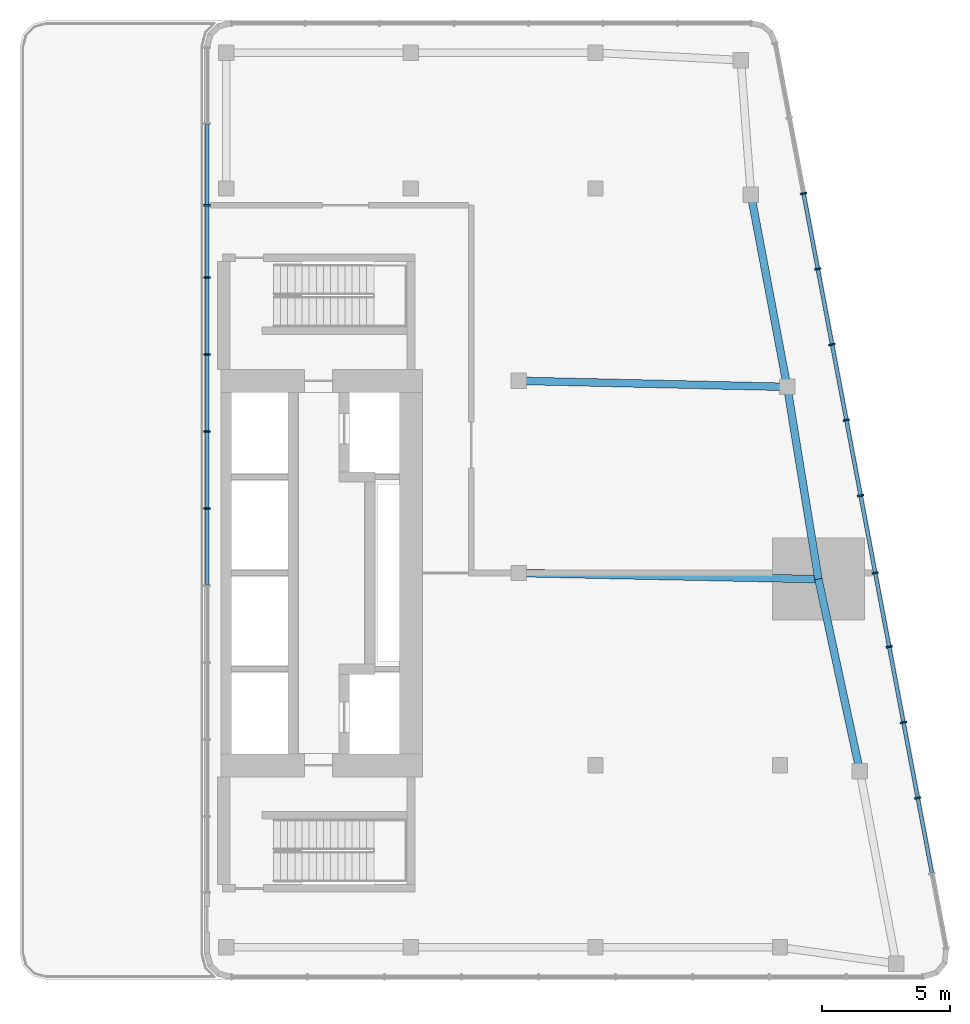
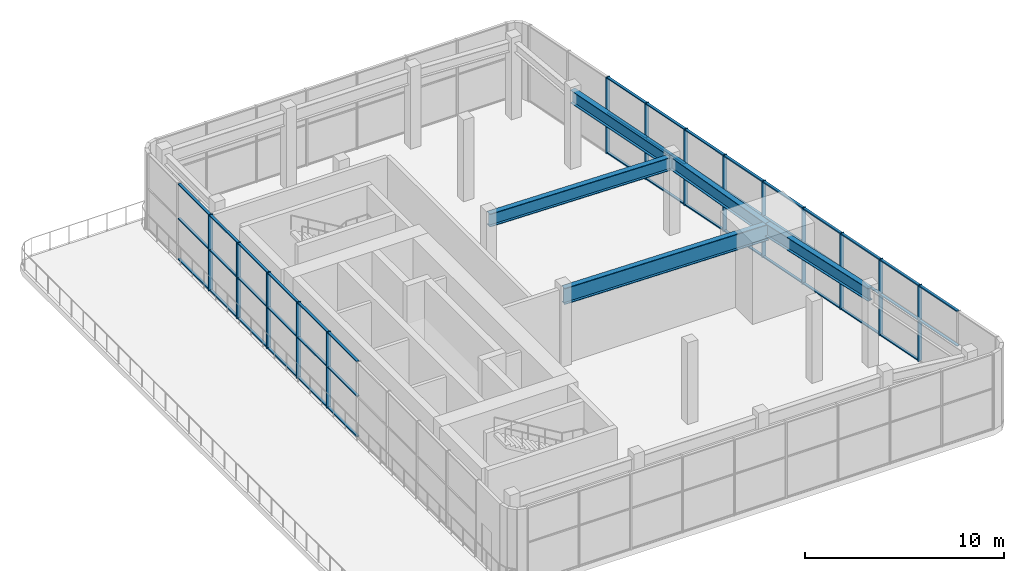
# One storey, part 2 of 8: 58 members, 5 beams, 2 elements without a shape of their own.
"""IFC4 building model written with IfcOpenShell, lengths in metres."""

from ifc_helpers import new_model, si_unit, direction, frame, origin, origin_2d, place, context, subcontext, project, spatial, rectangle, i_section, extrude, material, material_profile, profile_set, type_object, element, aggregate, save


model = new_model("IFC4")

# Units and contexts
model_context = context("Model", 3, precision=1e-05, world=origin(), true_north=direction((0.0, 1.0)))
body_context = subcontext(model_context, "Body", "Model", "MODEL_VIEW")
ifc_project = project(units=[si_unit("LENGTHUNIT", "METRE"), si_unit("AREAUNIT", "SQUARE_METRE"), si_unit("VOLUMEUNIT", "CUBIC_METRE"), si_unit("PLANEANGLEUNIT", "RADIAN"), si_unit("MASSUNIT", "GRAM", prefix="KILO")], contexts=[model_context])

# Site, building, storey
site_placement = place(None, origin())
site = spatial("IfcSite", under=ifc_project, at=site_placement, CompositionType="ELEMENT")
building_placement = place(site_placement, origin())
building = spatial("IfcBuilding", under=site, at=building_placement, Name="Sheger Commons Tower", CompositionType="ELEMENT")
storey_placement = place(building_placement, frame((0.0, 0.0, 296.60009765625)))
storey = spatial("IfcBuildingStorey", under=building, at=storey_placement, Name="L76", CompositionType="ELEMENT", Elevation=296.60009765625)

# Curtain wall, members
ifc_material_1 = material(Name="Black aluminium curtain wall, dark tinted glazing", Category="aluminium")
curtain_wall_type = type_object("IfcCurtainWallType", Name="CURTAIN WALL CW6 LANTERN", PredefinedType="USERDEFINED", material=ifc_material_1)
curtain_wall_1_placement = place(storey_placement, origin())
curtain_wall_1 = element("IfcCurtainWall", 1, at=curtain_wall_1_placement, inside=storey, type_object=curtain_wall_type, Name="Curtain Wall Cw6 Lantern E1 L76", ObjectType="UNITISED CURTAIN WALL", PredefinedType="USERDEFINED")
ifc_material_2 = material(Name="Black anodised aluminium", Category="aluminium")
ifc_material_profile_1 = material_profile(ifc_material_2, rectangle(XDim=0.25, YDim=0.06494140625, at=origin_2d()), Name="AL 65x250")
ifc_profile_set_1 = profile_set([ifc_material_profile_1], Name="Black anodised aluminium")
member_type_1 = type_object("IfcMemberType", Name="MULLION AL 65x250", PredefinedType="MULLION", material=ifc_profile_set_1)
member_1_placement = place(storey_placement, frame((48.5703125, 13.727783203125, 0.0), z_axis=(0.0, 0.0, 1.0), x_axis=(-0.982622863229, -0.185613331041, 0.0)))
member_1 = element("IfcMember", 2, at=member_1_placement, type_object=member_type_1, Name="CW6 mullion 3", PredefinedType="MULLION", context=body_context, shape_type="SweptSolid", body=[
    extrude(rectangle(XDim=0.25, YDim=0.06494140625, at=origin_2d()), origin(), (0.0, 0.0, 1.0), 4.64990234375),
])
member_2_placement = place(storey_placement, frame((48.013427734375, 16.675537109375, 0.0), z_axis=(0.0, 0.0, 1.0), x_axis=(-0.982622863229, -0.185613331041, 0.0)))
member_2 = element("IfcMember", 3, at=member_2_placement, type_object=member_type_1, Name="CW6 mullion 4", PredefinedType="MULLION", context=body_context, shape_type="SweptSolid", body=[
    extrude(rectangle(XDim=0.25, YDim=0.06494140625, at=origin_2d()), origin(), (0.0, 0.0, 1.0), 4.64990234375),
])
member_3_placement = place(storey_placement, frame((47.45654296875, 19.62353515625, 0.0), z_axis=(0.0, 0.0, 1.0), x_axis=(-0.982622863229, -0.185613331041, 0.0)))
member_3 = element("IfcMember", 4, at=member_3_placement, type_object=member_type_1, Name="CW6 mullion 5", PredefinedType="MULLION", context=body_context, shape_type="SweptSolid", body=[
    extrude(rectangle(XDim=0.25, YDim=0.06494140625, at=origin_2d()), origin(), (0.0, 0.0, 1.0), 4.64990234375),
])
member_4_placement = place(storey_placement, frame((46.913330078125, 22.49951171875, 0.0), z_axis=(0.0, 0.0, 1.0), x_axis=(-0.982622863229, -0.185613331041, 0.0)))
member_4 = element("IfcMember", 5, at=member_4_placement, type_object=member_type_1, Name="CW6 mullion 6", PredefinedType="MULLION", context=body_context, shape_type="SweptSolid", body=[
    extrude(rectangle(XDim=0.25, YDim=0.06494140625, at=origin_2d()), origin(), (0.0, 0.0, 1.0), 4.64990234375),
])
member_5_placement = place(storey_placement, frame((46.343017578125, 25.519287109375, 0.0), z_axis=(0.0, 0.0, 1.0), x_axis=(-0.982622863229, -0.185613331041, 0.0)))
member_5 = element("IfcMember", 6, at=member_5_placement, type_object=member_type_1, Name="CW6 mullion 7", PredefinedType="MULLION", context=body_context, shape_type="SweptSolid", body=[
    extrude(rectangle(XDim=0.25, YDim=0.06494140625, at=origin_2d()), origin(), (0.0, 0.0, 1.0), 4.64990234375),
])
member_6_placement = place(storey_placement, frame((45.7861328125, 28.467041015625, 0.0), z_axis=(0.0, 0.0, 1.0), x_axis=(-0.982622863229, -0.185613331041, 0.0)))
member_6 = element("IfcMember", 7, at=member_6_placement, type_object=member_type_1, Name="CW6 mullion 8", PredefinedType="MULLION", context=body_context, shape_type="SweptSolid", body=[
    extrude(rectangle(XDim=0.25, YDim=0.06494140625, at=origin_2d()), origin(), (0.0, 0.0, 1.0), 4.64990234375),
])
member_7_placement = place(storey_placement, frame((45.229248046875, 31.4150390625, 0.0), z_axis=(0.0, 0.0, 1.0), x_axis=(-0.982622863229, -0.185613331041, 0.0)))
member_7 = element("IfcMember", 8, at=member_7_placement, type_object=member_type_1, Name="CW6 mullion 9", PredefinedType="MULLION", context=body_context, shape_type="SweptSolid", body=[
    extrude(rectangle(XDim=0.25, YDim=0.06494140625, at=origin_2d()), origin(), (0.0, 0.0, 1.0), 4.64990234375),
])
member_8_placement = place(storey_placement, frame((44.67236328125, 34.36279296875, 0.0), z_axis=(0.0, 0.0, 1.0), x_axis=(-0.982622863229, -0.185613331041, 0.0)))
member_8 = element("IfcMember", 9, at=member_8_placement, type_object=member_type_1, Name="CW6 mullion 10", PredefinedType="MULLION", context=body_context, shape_type="SweptSolid", body=[
    extrude(rectangle(XDim=0.25, YDim=0.06494140625, at=origin_2d()), origin(), (0.0, 0.0, 1.0), 4.64990234375),
])
member_9_placement = place(storey_placement, frame((44.115478515625, 37.310791015625, 0.0), z_axis=(0.0, 0.0, 1.0), x_axis=(-0.982622863229, -0.185613331041, 0.0)))
member_9 = element("IfcMember", 10, at=member_9_placement, type_object=member_type_1, Name="CW6 mullion 11", PredefinedType="MULLION", context=body_context, shape_type="SweptSolid", body=[
    extrude(rectangle(XDim=0.25, YDim=0.06494140625, at=origin_2d()), origin(), (0.0, 0.0, 1.0), 4.64990234375),
])

curtain_wall_2_placement = place(storey_placement, origin())
curtain_wall_2 = element("IfcCurtainWall", 11, at=curtain_wall_2_placement, inside=storey, type_object=curtain_wall_type, Name="Curtain Wall Cw6 Lantern W1 L76", ObjectType="UNITISED CURTAIN WALL", PredefinedType="USERDEFINED")
member_10_placement = place(storey_placement, frame((20.85009765625, 36.85009765625, 0.0), z_axis=(0.0, 0.0, 1.0), x_axis=(1.0, 0.0, 0.0)))
member_10 = element("IfcMember", 12, at=member_10_placement, type_object=member_type_1, Name="CW6 mullion 3", PredefinedType="MULLION", context=body_context, shape_type="SweptSolid", body=[
    extrude(rectangle(XDim=0.25, YDim=0.06494140625, at=origin_2d()), origin(), (0.0, 0.0, 1.0), 4.64990234375),
])
member_11_placement = place(storey_placement, frame((20.85009765625, 34.027099609375, 0.0), z_axis=(0.0, 0.0, 1.0), x_axis=(1.0, 0.0, 0.0)))
member_11 = element("IfcMember", 13, at=member_11_placement, type_object=member_type_1, Name="CW6 mullion 4", PredefinedType="MULLION", context=body_context, shape_type="SweptSolid", body=[
    extrude(rectangle(XDim=0.25, YDim=0.06494140625, at=origin_2d()), origin(), (0.0, 0.0, 1.0), 4.64990234375),
])
member_12_placement = place(storey_placement, frame((20.85009765625, 31.02392578125, 0.0), z_axis=(0.0, 0.0, 1.0), x_axis=(1.0, 0.0, 0.0)))
member_12 = element("IfcMember", 14, at=member_12_placement, type_object=member_type_1, Name="CW6 mullion 5", PredefinedType="MULLION", context=body_context, shape_type="SweptSolid", body=[
    extrude(rectangle(XDim=0.25, YDim=0.06494140625, at=origin_2d()), origin(), (0.0, 0.0, 1.0), 4.64990234375),
])
member_13_placement = place(storey_placement, frame((20.85009765625, 28.02001953125, 0.0), z_axis=(0.0, 0.0, 1.0), x_axis=(1.0, 0.0, 0.0)))
member_13 = element("IfcMember", 15, at=member_13_placement, type_object=member_type_1, Name="CW6 mullion 6", PredefinedType="MULLION", context=body_context, shape_type="SweptSolid", body=[
    extrude(rectangle(XDim=0.25, YDim=0.06494140625, at=origin_2d()), origin(), (0.0, 0.0, 1.0), 4.64990234375),
])
member_14_placement = place(storey_placement, frame((20.85009765625, 25.01708984375, 0.0), z_axis=(0.0, 0.0, 1.0), x_axis=(1.0, 0.0, 0.0)))
member_14 = element("IfcMember", 16, at=member_14_placement, type_object=member_type_1, Name="CW6 mullion 7", PredefinedType="MULLION", context=body_context, shape_type="SweptSolid", body=[
    extrude(rectangle(XDim=0.25, YDim=0.06494140625, at=origin_2d()), origin(), (0.0, 0.0, 1.0), 4.64990234375),
])

# Beams
ifc_material_3 = material(Name="Steel S460", Category="steel")
ifc_material_profile_2 = material_profile(ifc_material_3, i_section(OverallWidth=0.300048828125, OverallDepth=1.0, WebThickness=0.01904296875, FlangeThickness=0.035888671875, at=origin_2d()), Name="HE 1000 B")
ifc_profile_set_2 = profile_set([ifc_material_profile_2], Name="Steel S460")
beam_type_1 = type_object("IfcBeamType", Name="STEEL BEAM HE 1000 B", PredefinedType="BEAM", material=ifc_profile_set_2)
beam_1_placement = place(storey_placement, frame((33.0, 22.5, 4.14990234375), z_axis=(0.999794692776, -0.02026258368, 0.0), x_axis=(0.02026258368, 0.999794692776, 0.0)))
element("IfcBeam", 17, at=beam_1_placement, inside=storey, type_object=beam_type_1, Name="Beam 6-3000/D-7/D under L77", PredefinedType="BEAM", context=body_context, shape_type="SweptSolid", body=[
    extrude(i_section(OverallWidth=0.300048828125, OverallDepth=1.0, WebThickness=0.01904296875, FlangeThickness=0.035888671875, at=origin_2d()), origin(), (0.0, 0.0, 1.0), 11.699462890625),
])
ifc_material_4 = material(Name="Steel S460", Category="steel")
ifc_material_profile_3 = material_profile(ifc_material_4, i_section(OverallWidth=0.300048828125, OverallDepth=0.800048828125, WebThickness=0.017578125, FlangeThickness=0.032958984375, at=origin_2d()), Name="HE 800 B")
ifc_profile_set_3 = profile_set([ifc_material_profile_3], Name="Steel S460")
beam_type_2 = type_object("IfcBeamType", Name="STEEL BEAM HE 800 B", PredefinedType="BEAM", material=ifc_profile_set_3)
beam_2_placement = place(storey_placement, frame((46.31396484375, 14.762939453125, 4.25), z_axis=(-0.210750229323, 0.977539943348, 0.0), x_axis=(-0.977539943348, -0.210750229323, 0.0)))
element("IfcBeam", 18, at=beam_2_placement, inside=storey, type_object=beam_type_2, Name="Beam E/C-E/D under L77", PredefinedType="BEAM", context=body_context, shape_type="SweptSolid", body=[
    extrude(i_section(OverallWidth=0.300048828125, OverallDepth=0.800048828125, WebThickness=0.017578125, FlangeThickness=0.032958984375, at=origin_2d()), origin(), (0.0, 0.0, 1.0), 7.67236328125),
])
beam_3_placement = place(storey_placement, frame((44.697021484375, 22.262939453125, 4.25), z_axis=(-0.160176929512, 0.987088319884, 0.0), x_axis=(-0.987088319884, -0.160176929512, 0.0)))
element("IfcBeam", 19, at=beam_3_placement, inside=storey, type_object=beam_type_2, Name="Beam E/D-E/E under L77", PredefinedType="BEAM", context=body_context, shape_type="SweptSolid", body=[
    extrude(i_section(OverallWidth=0.300048828125, OverallDepth=0.800048828125, WebThickness=0.017578125, FlangeThickness=0.032958984375, at=origin_2d()), origin(), (0.0, 0.0, 1.0), 7.59814453125),
])
beam_4_placement = place(storey_placement, frame((43.47998046875, 29.762939453125, 4.25), z_axis=(-0.18552441405, 0.982639655108, 0.0), x_axis=(-0.982639655108, -0.18552441405, 0.0)))
element("IfcBeam", 20, at=beam_4_placement, inside=storey, type_object=beam_type_2, Name="Beam E/E-E/F under L77", PredefinedType="BEAM", context=body_context, shape_type="SweptSolid", body=[
    extrude(i_section(OverallWidth=0.300048828125, OverallDepth=0.800048828125, WebThickness=0.017578125, FlangeThickness=0.032958984375, at=origin_2d()), origin(), (0.0, 0.0, 1.0), 7.632568359375),
])
beam_5_placement = place(storey_placement, frame((33.0, 30.0, 4.25), z_axis=(0.999744258625, -0.022614538395, 0.0), x_axis=(0.022614538395, 0.999744258625, 0.0)))
element("IfcBeam", 21, at=beam_5_placement, inside=storey, type_object=beam_type_2, Name="Beam 6-3000/E-E/E under L77", PredefinedType="BEAM", context=body_context, shape_type="SweptSolid", body=[
    extrude(i_section(OverallWidth=0.300048828125, OverallDepth=0.800048828125, WebThickness=0.017578125, FlangeThickness=0.032958984375, at=origin_2d()), origin(), (0.0, 0.0, 1.0), 10.482666015625),
])

# Member
ifc_material_5 = material(Name="Black anodised aluminium", Category="aluminium")
ifc_material_profile_4 = material_profile(ifc_material_5, rectangle(XDim=0.14990234375, YDim=0.06494140625, at=origin_2d()), Name="AL 65x150")
ifc_profile_set_4 = profile_set([ifc_material_profile_4], Name="Black anodised aluminium")
member_type_2 = type_object("IfcMemberType", Name="TRANSOM AL 65x150", PredefinedType="USERDEFINED", material=ifc_profile_set_4)
member_15_placement = place(storey_placement, frame((49.12109375, 10.811767578125, 2.5), z_axis=(-0.18557911014, 0.982629326796, 0.0), x_axis=(-0.982629326796, -0.18557911014, 0.0)))
member_15 = element("IfcMember", 22, at=member_15_placement, type_object=member_type_2, Name="CW6 transom 2.2", ObjectType="TRANSOM", PredefinedType="USERDEFINED", context=body_context, shape_type="SweptSolid", body=[
    extrude(rectangle(XDim=0.14990234375, YDim=0.06494140625, at=origin_2d()), origin(), (0.0, 0.0, 1.0), 2.93505859375),
])

member_16_placement = place(storey_placement, frame((49.12109375, 10.811767578125, 4.617431640625), z_axis=(-0.18557911014, 0.982629326796, 0.0), x_axis=(-0.982629326796, -0.18557911014, 0.0)))
member_16 = element("IfcMember", 23, at=member_16_placement, type_object=member_type_2, Name="CW6 transom 2.3", ObjectType="TRANSOM", PredefinedType="USERDEFINED", context=body_context, shape_type="SweptSolid", body=[
    extrude(rectangle(XDim=0.14990234375, YDim=0.06494140625, at=origin_2d()), origin(), (0.0, 0.0, 1.0), 2.93505859375),
])

member_17_placement = place(storey_placement, frame((48.564208984375, 13.759765625, 0.032470703125), z_axis=(-0.185594280056, 0.982626461688, 0.0), x_axis=(-0.982626461688, -0.185594280056, 0.0)))
member_17 = element("IfcMember", 24, at=member_17_placement, type_object=member_type_2, Name="CW6 transom 3.1", ObjectType="TRANSOM", PredefinedType="USERDEFINED", context=body_context, shape_type="SweptSolid", body=[
    extrude(rectangle(XDim=0.14990234375, YDim=0.06494140625, at=origin_2d()), origin(), (0.0, 0.0, 1.0), 2.934814453125),
])

member_18_placement = place(storey_placement, frame((48.564208984375, 13.759765625, 2.5), z_axis=(-0.185594280056, 0.982626461688, 0.0), x_axis=(-0.982626461688, -0.185594280056, 0.0)))
member_18 = element("IfcMember", 25, at=member_18_placement, type_object=member_type_2, Name="CW6 transom 3.2", ObjectType="TRANSOM", PredefinedType="USERDEFINED", context=body_context, shape_type="SweptSolid", body=[
    extrude(rectangle(XDim=0.14990234375, YDim=0.06494140625, at=origin_2d()), origin(), (0.0, 0.0, 1.0), 2.934814453125),
])

member_19_placement = place(storey_placement, frame((48.564208984375, 13.759765625, 4.617431640625), z_axis=(-0.185594280056, 0.982626461688, 0.0), x_axis=(-0.982626461688, -0.185594280056, 0.0)))
member_19 = element("IfcMember", 26, at=member_19_placement, type_object=member_type_2, Name="CW6 transom 3.3", ObjectType="TRANSOM", PredefinedType="USERDEFINED", context=body_context, shape_type="SweptSolid", body=[
    extrude(rectangle(XDim=0.14990234375, YDim=0.06494140625, at=origin_2d()), origin(), (0.0, 0.0, 1.0), 2.934814453125),
])

member_20_placement = place(storey_placement, frame((48.007568359375, 16.70751953125, 0.032470703125), z_axis=(-0.185659425554, 0.982614155049, 0.0), x_axis=(-0.982614155049, -0.185659425554, 0.0)))
member_20 = element("IfcMember", 27, at=member_20_placement, type_object=member_type_2, Name="CW6 transom 4.1", ObjectType="TRANSOM", PredefinedType="USERDEFINED", context=body_context, shape_type="SweptSolid", body=[
    extrude(rectangle(XDim=0.14990234375, YDim=0.06494140625, at=origin_2d()), origin(), (0.0, 0.0, 1.0), 2.93505859375),
])

member_21_placement = place(storey_placement, frame((48.007568359375, 16.70751953125, 2.5), z_axis=(-0.185659425554, 0.982614155049, 0.0), x_axis=(-0.982614155049, -0.185659425554, 0.0)))
member_21 = element("IfcMember", 28, at=member_21_placement, type_object=member_type_2, Name="CW6 transom 4.2", ObjectType="TRANSOM", PredefinedType="USERDEFINED", context=body_context, shape_type="SweptSolid", body=[
    extrude(rectangle(XDim=0.14990234375, YDim=0.06494140625, at=origin_2d()), origin(), (0.0, 0.0, 1.0), 2.93505859375),
])

member_22_placement = place(storey_placement, frame((48.007568359375, 16.70751953125, 4.617431640625), z_axis=(-0.185659425554, 0.982614155049, 0.0), x_axis=(-0.982614155049, -0.185659425554, 0.0)))
member_22 = element("IfcMember", 29, at=member_22_placement, type_object=member_type_2, Name="CW6 transom 4.3", ObjectType="TRANSOM", PredefinedType="USERDEFINED", context=body_context, shape_type="SweptSolid", body=[
    extrude(rectangle(XDim=0.14990234375, YDim=0.06494140625, at=origin_2d()), origin(), (0.0, 0.0, 1.0), 2.93505859375),
])

member_23_placement = place(storey_placement, frame((47.45068359375, 19.655517578125, 0.032470703125), z_axis=(-0.185622332692, 0.982621162812, 0.0), x_axis=(-0.982621162812, -0.185622332692, 0.0)))
member_23 = element("IfcMember", 30, at=member_23_placement, type_object=member_type_2, Name="CW6 transom 5.1", ObjectType="TRANSOM", PredefinedType="USERDEFINED", context=body_context, shape_type="SweptSolid", body=[
    extrude(rectangle(XDim=0.14990234375, YDim=0.06494140625, at=origin_2d()), origin(), (0.0, 0.0, 1.0), 2.862060546875),
])

member_24_placement = place(storey_placement, frame((47.45068359375, 19.655517578125, 2.5), z_axis=(-0.185622332692, 0.982621162812, 0.0), x_axis=(-0.982621162812, -0.185622332692, 0.0)))
member_24 = element("IfcMember", 31, at=member_24_placement, type_object=member_type_2, Name="CW6 transom 5.2", ObjectType="TRANSOM", PredefinedType="USERDEFINED", context=body_context, shape_type="SweptSolid", body=[
    extrude(rectangle(XDim=0.14990234375, YDim=0.06494140625, at=origin_2d()), origin(), (0.0, 0.0, 1.0), 2.862060546875),
])

member_25_placement = place(storey_placement, frame((47.45068359375, 19.655517578125, 4.617431640625), z_axis=(-0.185622332692, 0.982621162812, 0.0), x_axis=(-0.982621162812, -0.185622332692, 0.0)))
member_25 = element("IfcMember", 32, at=member_25_placement, type_object=member_type_2, Name="CW6 transom 5.3", ObjectType="TRANSOM", PredefinedType="USERDEFINED", context=body_context, shape_type="SweptSolid", body=[
    extrude(rectangle(XDim=0.14990234375, YDim=0.06494140625, at=origin_2d()), origin(), (0.0, 0.0, 1.0), 2.862060546875),
])

member_26_placement = place(storey_placement, frame((46.9072265625, 22.531494140625, 0.032470703125), z_axis=(-0.185616352754, 0.982622292435, 0.0), x_axis=(-0.982622292435, -0.185616352755, 0.0)))
member_26 = element("IfcMember", 33, at=member_26_placement, type_object=member_type_2, Name="CW6 transom 6.1", ObjectType="TRANSOM", PredefinedType="USERDEFINED", context=body_context, shape_type="SweptSolid", body=[
    extrude(rectangle(XDim=0.14990234375, YDim=0.06494140625, at=origin_2d()), origin(), (0.0, 0.0, 1.0), 3.008056640625),
])

member_27_placement = place(storey_placement, frame((46.9072265625, 22.531494140625, 2.5), z_axis=(-0.185616352754, 0.982622292435, 0.0), x_axis=(-0.982622292435, -0.185616352755, 0.0)))
member_27 = element("IfcMember", 34, at=member_27_placement, type_object=member_type_2, Name="CW6 transom 6.2", ObjectType="TRANSOM", PredefinedType="USERDEFINED", context=body_context, shape_type="SweptSolid", body=[
    extrude(rectangle(XDim=0.14990234375, YDim=0.06494140625, at=origin_2d()), origin(), (0.0, 0.0, 1.0), 3.008056640625),
])

member_28_placement = place(storey_placement, frame((46.9072265625, 22.531494140625, 4.617431640625), z_axis=(-0.185616352754, 0.982622292435, 0.0), x_axis=(-0.982622292435, -0.185616352755, 0.0)))
member_28 = element("IfcMember", 35, at=member_28_placement, type_object=member_type_2, Name="CW6 transom 6.3", ObjectType="TRANSOM", PredefinedType="USERDEFINED", context=body_context, shape_type="SweptSolid", body=[
    extrude(rectangle(XDim=0.14990234375, YDim=0.06494140625, at=origin_2d()), origin(), (0.0, 0.0, 1.0), 3.008056640625),
])

member_29_placement = place(storey_placement, frame((46.3369140625, 25.551025390625, 0.032470703125), z_axis=(-0.18557911014, 0.982629326796, 0.0), x_axis=(-0.982629326796, -0.18557911014, 0.0)))
member_29 = element("IfcMember", 36, at=member_29_placement, type_object=member_type_2, Name="CW6 transom 7.1", ObjectType="TRANSOM", PredefinedType="USERDEFINED", context=body_context, shape_type="SweptSolid", body=[
    extrude(rectangle(XDim=0.14990234375, YDim=0.06494140625, at=origin_2d()), origin(), (0.0, 0.0, 1.0), 2.93505859375),
])

member_30_placement = place(storey_placement, frame((46.3369140625, 25.551025390625, 2.5), z_axis=(-0.18557911014, 0.982629326796, 0.0), x_axis=(-0.982629326796, -0.18557911014, 0.0)))
member_30 = element("IfcMember", 37, at=member_30_placement, type_object=member_type_2, Name="CW6 transom 7.2", ObjectType="TRANSOM", PredefinedType="USERDEFINED", context=body_context, shape_type="SweptSolid", body=[
    extrude(rectangle(XDim=0.14990234375, YDim=0.06494140625, at=origin_2d()), origin(), (0.0, 0.0, 1.0), 2.93505859375),
])

member_31_placement = place(storey_placement, frame((46.3369140625, 25.551025390625, 4.617431640625), z_axis=(-0.18557911014, 0.982629326796, 0.0), x_axis=(-0.982629326796, -0.18557911014, 0.0)))
member_31 = element("IfcMember", 38, at=member_31_placement, type_object=member_type_2, Name="CW6 transom 7.3", ObjectType="TRANSOM", PredefinedType="USERDEFINED", context=body_context, shape_type="SweptSolid", body=[
    extrude(rectangle(XDim=0.14990234375, YDim=0.06494140625, at=origin_2d()), origin(), (0.0, 0.0, 1.0), 2.93505859375),
])

member_32_placement = place(storey_placement, frame((45.780029296875, 28.4990234375, 0.032470703125), z_axis=(-0.18557911014, 0.982629326796, 0.0), x_axis=(-0.982629326796, -0.18557911014, 0.0)))
member_32 = element("IfcMember", 39, at=member_32_placement, type_object=member_type_2, Name="CW6 transom 8.1", ObjectType="TRANSOM", PredefinedType="USERDEFINED", context=body_context, shape_type="SweptSolid", body=[
    extrude(rectangle(XDim=0.14990234375, YDim=0.06494140625, at=origin_2d()), origin(), (0.0, 0.0, 1.0), 2.93505859375),
])

member_33_placement = place(storey_placement, frame((45.780029296875, 28.4990234375, 2.5), z_axis=(-0.18557911014, 0.982629326796, 0.0), x_axis=(-0.982629326796, -0.18557911014, 0.0)))
member_33 = element("IfcMember", 40, at=member_33_placement, type_object=member_type_2, Name="CW6 transom 8.2", ObjectType="TRANSOM", PredefinedType="USERDEFINED", context=body_context, shape_type="SweptSolid", body=[
    extrude(rectangle(XDim=0.14990234375, YDim=0.06494140625, at=origin_2d()), origin(), (0.0, 0.0, 1.0), 2.93505859375),
])

member_34_placement = place(storey_placement, frame((45.780029296875, 28.4990234375, 4.617431640625), z_axis=(-0.18557911014, 0.982629326796, 0.0), x_axis=(-0.982629326796, -0.18557911014, 0.0)))
member_34 = element("IfcMember", 41, at=member_34_placement, type_object=member_type_2, Name="CW6 transom 8.3", ObjectType="TRANSOM", PredefinedType="USERDEFINED", context=body_context, shape_type="SweptSolid", body=[
    extrude(rectangle(XDim=0.14990234375, YDim=0.06494140625, at=origin_2d()), origin(), (0.0, 0.0, 1.0), 2.93505859375),
])

member_35_placement = place(storey_placement, frame((45.22314453125, 31.44677734375, 0.032470703125), z_axis=(-0.18557911014, 0.982629326796, 0.0), x_axis=(-0.982629326796, -0.18557911014, 0.0)))
member_35 = element("IfcMember", 42, at=member_35_placement, type_object=member_type_2, Name="CW6 transom 9.1", ObjectType="TRANSOM", PredefinedType="USERDEFINED", context=body_context, shape_type="SweptSolid", body=[
    extrude(rectangle(XDim=0.14990234375, YDim=0.06494140625, at=origin_2d()), origin(), (0.0, 0.0, 1.0), 2.93505859375),
])

member_36_placement = place(storey_placement, frame((45.22314453125, 31.44677734375, 2.5), z_axis=(-0.18557911014, 0.982629326796, 0.0), x_axis=(-0.982629326796, -0.18557911014, 0.0)))
member_36 = element("IfcMember", 43, at=member_36_placement, type_object=member_type_2, Name="CW6 transom 9.2", ObjectType="TRANSOM", PredefinedType="USERDEFINED", context=body_context, shape_type="SweptSolid", body=[
    extrude(rectangle(XDim=0.14990234375, YDim=0.06494140625, at=origin_2d()), origin(), (0.0, 0.0, 1.0), 2.93505859375),
])

member_37_placement = place(storey_placement, frame((45.22314453125, 31.44677734375, 4.617431640625), z_axis=(-0.18557911014, 0.982629326796, 0.0), x_axis=(-0.982629326796, -0.18557911014, 0.0)))
member_37 = element("IfcMember", 44, at=member_37_placement, type_object=member_type_2, Name="CW6 transom 9.3", ObjectType="TRANSOM", PredefinedType="USERDEFINED", context=body_context, shape_type="SweptSolid", body=[
    extrude(rectangle(XDim=0.14990234375, YDim=0.06494140625, at=origin_2d()), origin(), (0.0, 0.0, 1.0), 2.93505859375),
])

member_38_placement = place(storey_placement, frame((44.66650390625, 34.394775390625, 0.032470703125), z_axis=(-0.185659425554, 0.982614155049, 0.0), x_axis=(-0.982614155049, -0.185659425554, 0.0)))
member_38 = element("IfcMember", 45, at=member_38_placement, type_object=member_type_2, Name="CW6 transom 10.1", ObjectType="TRANSOM", PredefinedType="USERDEFINED", context=body_context, shape_type="SweptSolid", body=[
    extrude(rectangle(XDim=0.14990234375, YDim=0.06494140625, at=origin_2d()), origin(), (0.0, 0.0, 1.0), 2.93505859375),
])

member_39_placement = place(storey_placement, frame((44.66650390625, 34.394775390625, 2.5), z_axis=(-0.185659425554, 0.982614155049, 0.0), x_axis=(-0.982614155049, -0.185659425554, 0.0)))
member_39 = element("IfcMember", 46, at=member_39_placement, type_object=member_type_2, Name="CW6 transom 10.2", ObjectType="TRANSOM", PredefinedType="USERDEFINED", context=body_context, shape_type="SweptSolid", body=[
    extrude(rectangle(XDim=0.14990234375, YDim=0.06494140625, at=origin_2d()), origin(), (0.0, 0.0, 1.0), 2.93505859375),
])

member_40_placement = place(storey_placement, frame((44.66650390625, 34.394775390625, 4.617431640625), z_axis=(-0.185659425554, 0.982614155049, 0.0), x_axis=(-0.982614155049, -0.185659425554, 0.0)))
member_40 = element("IfcMember", 47, at=member_40_placement, type_object=member_type_2, Name="CW6 transom 10.3", ObjectType="TRANSOM", PredefinedType="USERDEFINED", context=body_context, shape_type="SweptSolid", body=[
    extrude(rectangle(XDim=0.14990234375, YDim=0.06494140625, at=origin_2d()), origin(), (0.0, 0.0, 1.0), 2.93505859375),
])

aggregate(curtain_wall_1, [member_1, member_2, member_3, member_4, member_5, member_6, member_7, member_8, member_9, member_15, member_16, member_17, member_18, member_19, member_20, member_21, member_22, member_23, member_24, member_25, member_26, member_27, member_28, member_29, member_30, member_31, member_32, member_33, member_34, member_35, member_36, member_37, member_38, member_39, member_40])

member_41_placement = place(storey_placement, frame((20.85009765625, 40.00146484375, 0.032470703125), z_axis=(0.0, -1.0, 0.0), x_axis=(1.0, 0.0, 0.0)))
member_41 = element("IfcMember", 48, at=member_41_placement, type_object=member_type_2, Name="CW6 transom 2.1", ObjectType="TRANSOM", PredefinedType="USERDEFINED", context=body_context, shape_type="SweptSolid", body=[
    extrude(rectangle(XDim=0.14990234375, YDim=0.06494140625, at=origin_2d()), origin(), (0.0, 0.0, 1.0), 3.118896484375),
])

member_42_placement = place(storey_placement, frame((20.85009765625, 40.00146484375, 2.5), z_axis=(0.0, -1.0, 0.0), x_axis=(1.0, 0.0, 0.0)))
member_42 = element("IfcMember", 49, at=member_42_placement, type_object=member_type_2, Name="CW6 transom 2.2", ObjectType="TRANSOM", PredefinedType="USERDEFINED", context=body_context, shape_type="SweptSolid", body=[
    extrude(rectangle(XDim=0.14990234375, YDim=0.06494140625, at=origin_2d()), origin(), (0.0, 0.0, 1.0), 3.118896484375),
])

member_43_placement = place(storey_placement, frame((20.85009765625, 40.00146484375, 4.617431640625), z_axis=(0.0, -1.0, 0.0), x_axis=(1.0, 0.0, 0.0)))
member_43 = element("IfcMember", 50, at=member_43_placement, type_object=member_type_2, Name="CW6 transom 2.3", ObjectType="TRANSOM", PredefinedType="USERDEFINED", context=body_context, shape_type="SweptSolid", body=[
    extrude(rectangle(XDim=0.14990234375, YDim=0.06494140625, at=origin_2d()), origin(), (0.0, 0.0, 1.0), 3.118896484375),
])

member_44_placement = place(storey_placement, frame((20.85009765625, 36.8173828125, 0.032470703125), z_axis=(0.0, -1.0, 0.0), x_axis=(1.0, 0.0, 0.0)))
member_44 = element("IfcMember", 51, at=member_44_placement, type_object=member_type_2, Name="CW6 transom 3.1", ObjectType="TRANSOM", PredefinedType="USERDEFINED", context=body_context, shape_type="SweptSolid", body=[
    extrude(rectangle(XDim=0.14990234375, YDim=0.06494140625, at=origin_2d()), origin(), (0.0, 0.0, 1.0), 2.7578125),
])

member_45_placement = place(storey_placement, frame((20.85009765625, 36.8173828125, 2.5), z_axis=(0.0, -1.0, 0.0), x_axis=(1.0, 0.0, 0.0)))
member_45 = element("IfcMember", 52, at=member_45_placement, type_object=member_type_2, Name="CW6 transom 3.2", ObjectType="TRANSOM", PredefinedType="USERDEFINED", context=body_context, shape_type="SweptSolid", body=[
    extrude(rectangle(XDim=0.14990234375, YDim=0.06494140625, at=origin_2d()), origin(), (0.0, 0.0, 1.0), 2.7578125),
])

member_46_placement = place(storey_placement, frame((20.85009765625, 36.8173828125, 4.617431640625), z_axis=(0.0, -1.0, 0.0), x_axis=(1.0, 0.0, 0.0)))
member_46 = element("IfcMember", 53, at=member_46_placement, type_object=member_type_2, Name="CW6 transom 3.3", ObjectType="TRANSOM", PredefinedType="USERDEFINED", context=body_context, shape_type="SweptSolid", body=[
    extrude(rectangle(XDim=0.14990234375, YDim=0.06494140625, at=origin_2d()), origin(), (0.0, 0.0, 1.0), 2.7578125),
])

member_47_placement = place(storey_placement, frame((20.85009765625, 33.994384765625, 0.032470703125), z_axis=(0.0, -1.0, 0.0), x_axis=(1.0, 0.0, 0.0)))
member_47 = element("IfcMember", 54, at=member_47_placement, type_object=member_type_2, Name="CW6 transom 4.1", ObjectType="TRANSOM", PredefinedType="USERDEFINED", context=body_context, shape_type="SweptSolid", body=[
    extrude(rectangle(XDim=0.14990234375, YDim=0.06494140625, at=origin_2d()), origin(), (0.0, 0.0, 1.0), 2.93798828125),
])

member_48_placement = place(storey_placement, frame((20.85009765625, 33.994384765625, 2.5), z_axis=(0.0, -1.0, 0.0), x_axis=(1.0, 0.0, 0.0)))
member_48 = element("IfcMember", 55, at=member_48_placement, type_object=member_type_2, Name="CW6 transom 4.2", ObjectType="TRANSOM", PredefinedType="USERDEFINED", context=body_context, shape_type="SweptSolid", body=[
    extrude(rectangle(XDim=0.14990234375, YDim=0.06494140625, at=origin_2d()), origin(), (0.0, 0.0, 1.0), 2.93798828125),
])

member_49_placement = place(storey_placement, frame((20.85009765625, 33.994384765625, 4.617431640625), z_axis=(0.0, -1.0, 0.0), x_axis=(1.0, 0.0, 0.0)))
member_49 = element("IfcMember", 56, at=member_49_placement, type_object=member_type_2, Name="CW6 transom 4.3", ObjectType="TRANSOM", PredefinedType="USERDEFINED", context=body_context, shape_type="SweptSolid", body=[
    extrude(rectangle(XDim=0.14990234375, YDim=0.06494140625, at=origin_2d()), origin(), (0.0, 0.0, 1.0), 2.93798828125),
])

member_50_placement = place(storey_placement, frame((20.85009765625, 30.991455078125, 0.032470703125), z_axis=(0.0, -1.0, 0.0), x_axis=(1.0, 0.0, 0.0)))
member_50 = element("IfcMember", 57, at=member_50_placement, type_object=member_type_2, Name="CW6 transom 5.1", ObjectType="TRANSOM", PredefinedType="USERDEFINED", context=body_context, shape_type="SweptSolid", body=[
    extrude(rectangle(XDim=0.14990234375, YDim=0.06494140625, at=origin_2d()), origin(), (0.0, 0.0, 1.0), 2.93896484375),
])

member_51_placement = place(storey_placement, frame((20.85009765625, 30.991455078125, 2.5), z_axis=(0.0, -1.0, 0.0), x_axis=(1.0, 0.0, 0.0)))
member_51 = element("IfcMember", 58, at=member_51_placement, type_object=member_type_2, Name="CW6 transom 5.2", ObjectType="TRANSOM", PredefinedType="USERDEFINED", context=body_context, shape_type="SweptSolid", body=[
    extrude(rectangle(XDim=0.14990234375, YDim=0.06494140625, at=origin_2d()), origin(), (0.0, 0.0, 1.0), 2.93896484375),
])

member_52_placement = place(storey_placement, frame((20.85009765625, 30.991455078125, 4.617431640625), z_axis=(0.0, -1.0, 0.0), x_axis=(1.0, 0.0, 0.0)))
member_52 = element("IfcMember", 59, at=member_52_placement, type_object=member_type_2, Name="CW6 transom 5.3", ObjectType="TRANSOM", PredefinedType="USERDEFINED", context=body_context, shape_type="SweptSolid", body=[
    extrude(rectangle(XDim=0.14990234375, YDim=0.06494140625, at=origin_2d()), origin(), (0.0, 0.0, 1.0), 2.93896484375),
])

member_53_placement = place(storey_placement, frame((20.85009765625, 27.987548828125, 0.032470703125), z_axis=(0.0, -1.0, 0.0), x_axis=(1.0, 0.0, 0.0)))
member_53 = element("IfcMember", 60, at=member_53_placement, type_object=member_type_2, Name="CW6 transom 6.1", ObjectType="TRANSOM", PredefinedType="USERDEFINED", context=body_context, shape_type="SweptSolid", body=[
    extrude(rectangle(XDim=0.14990234375, YDim=0.06494140625, at=origin_2d()), origin(), (0.0, 0.0, 1.0), 2.93798828125),
])

member_54_placement = place(storey_placement, frame((20.85009765625, 27.987548828125, 2.5), z_axis=(0.0, -1.0, 0.0), x_axis=(1.0, 0.0, 0.0)))
member_54 = element("IfcMember", 61, at=member_54_placement, type_object=member_type_2, Name="CW6 transom 6.2", ObjectType="TRANSOM", PredefinedType="USERDEFINED", context=body_context, shape_type="SweptSolid", body=[
    extrude(rectangle(XDim=0.14990234375, YDim=0.06494140625, at=origin_2d()), origin(), (0.0, 0.0, 1.0), 2.93798828125),
])

member_55_placement = place(storey_placement, frame((20.85009765625, 27.987548828125, 4.617431640625), z_axis=(0.0, -1.0, 0.0), x_axis=(1.0, 0.0, 0.0)))
member_55 = element("IfcMember", 62, at=member_55_placement, type_object=member_type_2, Name="CW6 transom 6.3", ObjectType="TRANSOM", PredefinedType="USERDEFINED", context=body_context, shape_type="SweptSolid", body=[
    extrude(rectangle(XDim=0.14990234375, YDim=0.06494140625, at=origin_2d()), origin(), (0.0, 0.0, 1.0), 2.93798828125),
])

member_56_placement = place(storey_placement, frame((20.85009765625, 24.984619140625, 0.032470703125), z_axis=(0.0, -1.0, 0.0), x_axis=(1.0, 0.0, 0.0)))
member_56 = element("IfcMember", 63, at=member_56_placement, type_object=member_type_2, Name="CW6 transom 7.1", ObjectType="TRANSOM", PredefinedType="USERDEFINED", context=body_context, shape_type="SweptSolid", body=[
    extrude(rectangle(XDim=0.14990234375, YDim=0.06494140625, at=origin_2d()), origin(), (0.0, 0.0, 1.0), 2.939208984375),
])

member_57_placement = place(storey_placement, frame((20.85009765625, 24.984619140625, 2.5), z_axis=(0.0, -1.0, 0.0), x_axis=(1.0, 0.0, 0.0)))
member_57 = element("IfcMember", 64, at=member_57_placement, type_object=member_type_2, Name="CW6 transom 7.2", ObjectType="TRANSOM", PredefinedType="USERDEFINED", context=body_context, shape_type="SweptSolid", body=[
    extrude(rectangle(XDim=0.14990234375, YDim=0.06494140625, at=origin_2d()), origin(), (0.0, 0.0, 1.0), 2.939208984375),
])

member_58_placement = place(storey_placement, frame((20.85009765625, 24.984619140625, 4.617431640625), z_axis=(0.0, -1.0, 0.0), x_axis=(1.0, 0.0, 0.0)))
member_58 = element("IfcMember", 65, at=member_58_placement, type_object=member_type_2, Name="CW6 transom 7.3", ObjectType="TRANSOM", PredefinedType="USERDEFINED", context=body_context, shape_type="SweptSolid", body=[
    extrude(rectangle(XDim=0.14990234375, YDim=0.06494140625, at=origin_2d()), origin(), (0.0, 0.0, 1.0), 2.939208984375),
])

aggregate(curtain_wall_2, [member_10, member_11, member_12, member_13, member_14, member_41, member_42, member_43, member_44, member_45, member_46, member_47, member_48, member_49, member_50, member_51, member_52, member_53, member_54, member_55, member_56, member_57, member_58])

save(model, "model.ifc")
